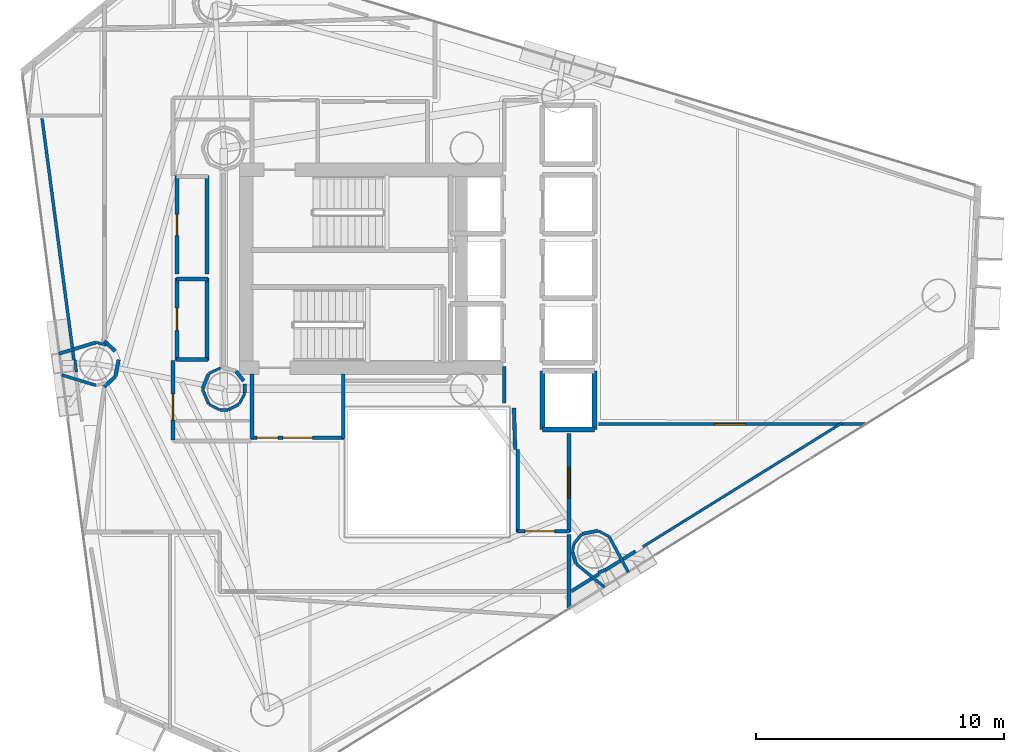
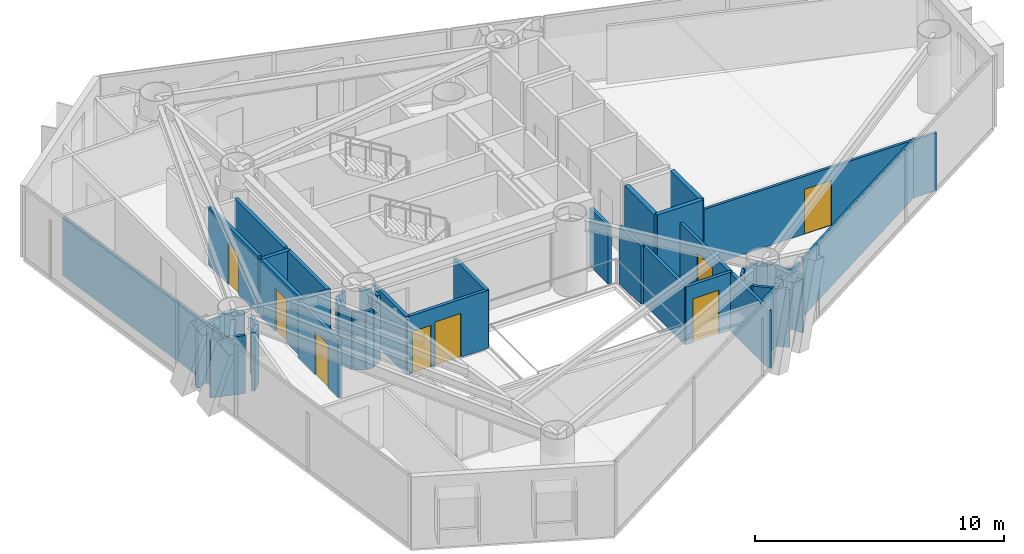
# One storey, part 18 of 22: 48 walls, 8 doors, 8 openings.
"""IFC4 building model written with IfcOpenShell, lengths in metres."""

from ifc_helpers import new_model, si_unit, direction, frame, frame_2d, origin, place, context, subcontext, project, spatial, rectangle, extrude, material, layer, layer_set, type_object, element, fill, save


model = new_model("IFC4")

# Units and contexts
model_context = context("Model", 3, precision=1e-05, world=origin(), true_north=direction((0.0, 1.0)))
body_context = subcontext(model_context, "Body", "Model", "MODEL_VIEW")
ifc_project = project(units=[si_unit("LENGTHUNIT", "METRE"), si_unit("AREAUNIT", "SQUARE_METRE"), si_unit("VOLUMEUNIT", "CUBIC_METRE"), si_unit("PLANEANGLEUNIT", "RADIAN"), si_unit("MASSUNIT", "GRAM", prefix="KILO")], contexts=[model_context])

# Site, building, storey
site_placement = place(None, origin())
site = spatial("IfcSite", under=ifc_project, at=site_placement, CompositionType="ELEMENT")
building_placement = place(site_placement, origin())
building = spatial("IfcBuilding", under=site, at=building_placement, Name="Qianvela Tower", CompositionType="ELEMENT")
storey_placement = place(building_placement, frame((0.0, 0.0, 177.199951171875)))
storey = spatial("IfcBuildingStorey", under=building, at=storey_placement, Name="L45", CompositionType="ELEMENT", Elevation=177.199951171875)

# Wall, openings, doors
ifc_material_1 = material(Name="Fire-Rated Acoustic Gypsum Board")
ifc_layer_1 = layer(ifc_material_1, 0.14990234375)
ifc_layer_set_1 = layer_set([ifc_layer_1], Name="Fire-Rated Acoustic Gypsum Board")
wall_type_1 = type_object("IfcWallType", Name="WT-CORR-150", PredefinedType="PARTITIONING", material=ifc_layer_set_1)
wall_1_placement = place(storey_placement, frame((33.449951171875, 21.881103515625, 0.0), z_axis=(0.0, 0.0, 1.0), x_axis=(-1.0, 0.0, 0.0)))
wall_1 = element("IfcWall", 1, at=wall_1_placement, inside=storey, type_object=wall_type_1, Name="L45 Partition 5", PredefinedType="PARTITIONING", context=body_context, shape_type="SweptSolid", body=[
    extrude(rectangle(XDim=3.75, YDim=0.14990234375, at=frame_2d((1.875, 0.0))), origin(), (0.0, 0.0, 1.0), 2.840087890625),
])
opening_1_placement = place(wall_1_placement, frame((1.27490234375, 0.0, 0.0)))
opening_1 = element("IfcOpeningElement", 2, at=opening_1_placement, cuts=wall_1, Name="Opening D-LB1", PredefinedType="OPENING", context=body_context, shape_type="SweptSolid", body=[
    extrude(rectangle(XDim=1.199951171875, YDim=2.14990234375, at=frame_2d((0.60009765625, 1.074951171875))), frame((0.0, 0.0849609375, 0.0), z_axis=(0.0, -1.0, 0.0), x_axis=(1.0, 0.0, 0.0)), (0.0, 0.0, 1.0), 0.169921875),
])
opening_2_placement = place(wall_1_placement, frame((2.659912109375, 0.0, 0.0)))
opening_2 = element("IfcOpeningElement", 3, at=opening_2_placement, cuts=wall_1, Name="Opening D-LB2", PredefinedType="OPENING", context=body_context, shape_type="SweptSolid", body=[
    extrude(rectangle(XDim=0.860107421875, YDim=2.050048828125, at=frame_2d((0.43017578125, 1.02490234375))), frame((0.0, 0.0849609375, 0.0), z_axis=(0.0, -1.0, 0.0), x_axis=(1.0, 0.0, 0.0)), (0.0, 0.0, 1.0), 0.169921875),
])
ifc_material_2 = material(Name="Glazed Fire-Rated Steel Frame", Category="steel")
door_type_1 = type_object("IfcDoorType", Name="DT-LOBBY-FD90", OperationType="NOTDEFINED", PredefinedType="DOOR", material=ifc_material_2)
door_1_placement = place(opening_1_placement, origin())
door_1 = element("IfcDoor", 4, at=door_1_placement, inside=storey, type_object=door_type_1, Name="L45 Door L45 Firefighting Lobby South to L45 Floor Corridor", OperationType="SINGLE_SWING_RIGHT", OverallHeight=2.14990234375, OverallWidth=1.199951171875, PredefinedType="DOOR", context=body_context, shape_type="SweptSolid", body=[
    extrude(rectangle(XDim=1.199951171875, YDim=2.14990234375, at=frame_2d((0.60009765625, 1.074951171875))), frame((0.0, 0.02490234375, 0.0), z_axis=(0.0, -1.0, 0.0), x_axis=(1.0, 0.0, 0.0)), (0.0, 0.0, 1.0), 0.050048828125),
])
fill(opening_1, door_1)
ifc_material_3 = material(Name="Insulated Steel Fire Door Q355B", Category="steel")
door_type_2 = type_object("IfcDoorType", Name="DT-LOBBY-FD90-860", OperationType="NOTDEFINED", PredefinedType="DOOR", material=ifc_material_3)
door_2_placement = place(opening_2_placement, origin())
door_2 = element("IfcDoor", 5, at=door_2_placement, inside=storey, type_object=door_type_2, Name="L45 Door L45 Firefighting Lobby South to L45 Floor Corridor", OperationType="SINGLE_SWING_LEFT", OverallHeight=2.050048828125, OverallWidth=0.860107421875, PredefinedType="DOOR", context=body_context, shape_type="SweptSolid", body=[
    extrude(rectangle(XDim=0.860107421875, YDim=2.050048828125, at=frame_2d((0.43017578125, 1.02490234375))), frame((0.0, 0.02490234375, 0.0), z_axis=(0.0, -1.0, 0.0), x_axis=(1.0, 0.0, 0.0)), (0.0, 0.0, 1.0), 0.050048828125),
])
fill(opening_2, door_2)

# Walls
for number, where, z_axis, x_axis, name in (
    (6, (29.73095703125, 21.85009765625, 0.0), (0.0, 0.0, 1.0), (0.0, 1.0, 0.0), "L45 Partition 6"),
    (7, (33.4189453125, 24.44189453125, 0.0), (0.0, 0.0, 1.0), (0.0, -1.0, 0.0), "L45 Partition 8"),
):
    element("IfcWall", number, at=place(storey_placement, frame(where, z_axis=z_axis, x_axis=x_axis)), inside=storey, type_object=wall_type_1, Name=name, PredefinedType="PARTITIONING", context=body_context, shape_type="SweptSolid", body=[
        extrude(rectangle(XDim=2.591796875, YDim=0.14990234375, at=frame_2d((1.2958984375, 0.0))), origin(), (0.0, 0.0, 1.0), 2.840087890625),
    ])
wall_2_placement = place(storey_placement, frame((40.35107421875, 21.40087890625, 0.0), z_axis=(0.0, 0.0, 1.0), x_axis=(-0.031058045979, 0.999517582527, 0.0)))
element("IfcWall", 8, at=wall_2_placement, inside=storey, type_object=wall_type_1, Name="L45 Partition 9", PredefinedType="PARTITIONING", context=body_context, shape_type="SweptSolid", body=[
    extrude(rectangle(XDim=1.68212890625, YDim=0.14990234375, at=frame_2d((0.841064453125, 0.0))), origin(), (0.0, 0.0, 1.0), 2.840087890625),
])
wall_3_placement = place(storey_placement, frame((39.910888671875, 23.280029296875, 0.0), z_axis=(0.0, 0.0, 1.0), x_axis=(0.0, 1.0, 0.0)))
element("IfcWall", 9, at=wall_3_placement, inside=storey, type_object=wall_type_1, Name="L45 Partition 10", PredefinedType="PARTITIONING", context=body_context, shape_type="SweptSolid", body=[
    extrude(rectangle(XDim=1.47998046875, YDim=0.14990234375, at=frame_2d((0.739990234375, 0.0))), origin(), (0.0, 0.0, 1.0), 2.840087890625),
])

# Wall, opening, door
wall_4_placement = place(storey_placement, frame((42.51904296875, 22.050048828125, 0.0), z_axis=(0.0, 0.0, 1.0), x_axis=(0.0, -1.0, 0.0)))
wall_4 = element("IfcWall", 10, at=wall_4_placement, inside=storey, type_object=wall_type_1, Name="L45 Partition 17", PredefinedType="PARTITIONING", context=body_context, shape_type="SweptSolid", body=[
    extrude(rectangle(XDim=3.969970703125, YDim=0.14990234375, at=frame_2d((1.98486328125, 0.0))), origin(), (0.0, 0.0, 1.0), 2.840087890625),
])
opening_3_placement = place(wall_4_placement, frame((1.360107421875, 0.0, 0.0)))
opening_3 = element("IfcOpeningElement", 11, at=opening_3_placement, cuts=wall_4, Name="Opening D-LG1", PredefinedType="OPENING", context=body_context, shape_type="SweptSolid", body=[
    extrude(rectangle(XDim=1.25, YDim=2.199951171875, at=frame_2d((0.625, 1.10009765625))), frame((0.0, 0.0849609375, 0.0), z_axis=(0.0, -1.0, 0.0), x_axis=(1.0, 0.0, 0.0)), (0.0, 0.0, 1.0), 0.169921875),
])
ifc_material_4 = material(Name="Anodised Aluminium Acoustic Glass Door", Category="aluminium")
door_type_3 = type_object("IfcDoorType", Name="DT-LOUNGE-1250", OperationType="NOTDEFINED", PredefinedType="DOOR", material=ifc_material_4)
door_3_placement = place(opening_3_placement, origin())
door_3 = element("IfcDoor", 12, at=door_3_placement, inside=storey, type_object=door_type_3, Name="L45 Door Tutorial Breakout Seminar L45-03 to L45 Lift Lobby", OperationType="SINGLE_SWING_LEFT", OverallHeight=2.199951171875, OverallWidth=1.25, PredefinedType="DOOR", context=body_context, shape_type="SweptSolid", body=[
    extrude(rectangle(XDim=1.25, YDim=2.199951171875, at=frame_2d((0.625, 1.10009765625))), frame((0.0, 0.02490234375, 0.0), z_axis=(0.0, -1.0, 0.0), x_axis=(1.0, 0.0, 0.0)), (0.0, 0.0, 1.0), 0.050048828125),
])
fill(opening_3, door_3)

wall_5_placement = place(storey_placement, frame((42.550048828125, 18.111083984375, 0.0), z_axis=(0.0, 0.0, 1.0), x_axis=(-1.0, 0.0, 0.0)))
wall_5 = element("IfcWall", 13, at=wall_5_placement, inside=storey, type_object=wall_type_1, Name="L45 Partition 18", PredefinedType="PARTITIONING", context=body_context, shape_type="SweptSolid", body=[
    extrude(rectangle(XDim=2.130126953125, YDim=0.14990234375, at=frame_2d((1.06494140625, 0.0))), origin(), (0.0, 0.0, 1.0), 2.840087890625),
])
opening_4_placement = place(wall_5_placement, frame((0.60498046875, 0.0, 0.0)))
opening_4 = element("IfcOpeningElement", 14, at=opening_4_placement, cuts=wall_5, Name="Opening D-LB1", PredefinedType="OPENING", context=body_context, shape_type="SweptSolid", body=[
    extrude(rectangle(XDim=1.199951171875, YDim=2.14990234375, at=frame_2d((0.60009765625, 1.074951171875))), frame((0.0, 0.0849609375, 0.0), z_axis=(0.0, -1.0, 0.0), x_axis=(1.0, 0.0, 0.0)), (0.0, 0.0, 1.0), 0.169921875),
])
door_4_placement = place(opening_4_placement, origin())
door_4 = element("IfcDoor", 15, at=door_4_placement, inside=storey, type_object=door_type_1, Name="L45 Door L45 Lift Lobby to L45 Floor Corridor", OperationType="SINGLE_SWING_LEFT", OverallHeight=2.14990234375, OverallWidth=1.199951171875, PredefinedType="DOOR", context=body_context, shape_type="SweptSolid", body=[
    extrude(rectangle(XDim=1.199951171875, YDim=2.14990234375, at=frame_2d((0.60009765625, 1.074951171875))), frame((0.0, 0.02490234375, 0.0), z_axis=(0.0, -1.0, 0.0), x_axis=(1.0, 0.0, 0.0)), (0.0, 0.0, 1.0), 0.050048828125),
])
fill(opening_4, door_4)

# Walls
wall_6_placement = place(storey_placement, frame((40.450927734375, 18.080078125, 0.0), z_axis=(0.0, 0.0, 1.0), x_axis=(0.0, 1.0, 0.0)))
element("IfcWall", 16, at=wall_6_placement, inside=storey, type_object=wall_type_1, Name="L45 Partition 19 seg 1", PredefinedType="PARTITIONING", context=body_context, shape_type="SweptSolid", body=[
    extrude(rectangle(XDim=3.31982421875, YDim=0.14990234375, at=frame_2d((1.659912109375, 0.0))), origin(), (0.0, 0.0, 1.0), 2.840087890625),
])
wall_7_placement = place(storey_placement, frame((29.401611328125, 24.169189453125, 0.0), z_axis=(0.0, 0.0, 1.0), x_axis=(-0.622091855036, 0.782944266151, 0.0)))
element("IfcWall", 17, at=wall_7_placement, inside=storey, type_object=wall_type_1, Name="L45 Partition 36", PredefinedType="PARTITIONING", context=body_context, shape_type="SweptSolid", body=[
    extrude(rectangle(XDim=0.50390625, YDim=0.14990234375, at=frame_2d((0.251953125, 0.0))), origin(), (0.0, 0.0, 1.0), 2.840087890625),
])
wall_8_placement = place(storey_placement, frame((24.211181640625, 25.37890625, 0.0), z_axis=(0.0, 0.0, 1.0), x_axis=(-0.735475561179, 0.677551251868, 0.0)))
element("IfcWall", 18, at=wall_8_placement, inside=storey, type_object=wall_type_1, Name="L45 Partition 48", PredefinedType="PARTITIONING", context=body_context, shape_type="SweptSolid", body=[
    extrude(rectangle(XDim=0.598388671875, YDim=0.14990234375, at=frame_2d((0.29931640625, 0.0))), origin(), (0.0, 0.0, 1.0), 2.840087890625),
])

# Wall, opening, door
wall_9_placement = place(storey_placement, frame((26.549072265625, 25.0, 0.0), z_axis=(0.0, 0.0, 1.0), x_axis=(0.0, -1.0, 0.0)))
wall_9 = element("IfcWall", 19, at=wall_9_placement, inside=storey, type_object=wall_type_1, Name="L45 Partition 54 seg 3", PredefinedType="PARTITIONING", context=body_context, shape_type="SweptSolid", body=[
    extrude(rectangle(XDim=3.219970703125, YDim=0.14990234375, at=frame_2d((1.60986328125, 0.0))), origin(), (0.0, 0.0, 1.0), 2.840087890625),
])
opening_5_placement = place(wall_9_placement, frame((1.3544921875, 0.0, 0.0)))
opening_5 = element("IfcOpeningElement", 20, at=opening_5_placement, cuts=wall_9, Name="Opening D-PL1", PredefinedType="OPENING", context=body_context, shape_type="SweptSolid", body=[
    extrude(rectangle(XDim=1.050048828125, YDim=2.14990234375, at=frame_2d((0.52490234375, 1.074951171875))), frame((0.0, 0.0849609375, 0.0), z_axis=(0.0, -1.0, 0.0), x_axis=(1.0, 0.0, 0.0)), (0.0, 0.0, 1.0), 0.169921875),
])
ifc_material_5 = material(Name="Insulated Steel Fire Door Q355B", Category="steel")
door_type_4 = type_object("IfcDoorType", Name="DT-PLANT-FD90", OperationType="NOTDEFINED", PredefinedType="DOOR", material=ifc_material_5)
door_5_placement = place(opening_5_placement, origin())
door_5 = element("IfcDoor", 21, at=door_5_placement, inside=storey, type_object=door_type_4, Name="L45 Door Academic Advising Lounge L45-07 to L45 Floor Corridor", OperationType="SINGLE_SWING_RIGHT", OverallHeight=2.14990234375, OverallWidth=1.050048828125, PredefinedType="DOOR", context=body_context, shape_type="SweptSolid", body=[
    extrude(rectangle(XDim=1.050048828125, YDim=2.14990234375, at=frame_2d((0.52490234375, 1.074951171875))), frame((0.0, 0.02490234375, 0.0), z_axis=(0.0, -1.0, 0.0), x_axis=(1.0, 0.0, 0.0)), (0.0, 0.0, 1.0), 0.050048828125),
])
fill(opening_5, door_5)

# Walls
wall_10_placement = place(storey_placement, frame((42.51904296875, 17.97998046875, 0.0), z_axis=(0.0, 0.0, 1.0), x_axis=(0.0, -1.0, 0.0)))
element("IfcWall", 22, at=wall_10_placement, inside=storey, type_object=wall_type_1, Name="L45 Partition 57 seg 1", PredefinedType="PARTITIONING", context=body_context, shape_type="SweptSolid", body=[
    extrude(rectangle(XDim=3.02001953125, YDim=0.14990234375, at=frame_2d((1.510009765625, 0.0))), origin(), (0.0, 0.0, 1.0), 2.840087890625),
])
wall_11_placement = place(storey_placement, frame((23.77099609375, 23.93359375, 0.0), z_axis=(0.0, 0.0, 1.0), x_axis=(0.735475561179, 0.677551251868, 0.0)))
element("IfcWall", 23, at=wall_11_placement, inside=storey, type_object=wall_type_1, Name="L45 Partition 62", PredefinedType="PARTITIONING", context=body_context, shape_type="SweptSolid", body=[
    extrude(rectangle(XDim=0.598388671875, YDim=0.14990234375, at=frame_2d((0.29931640625, 0.0))), origin(), (0.0, 0.0, 1.0), 2.840087890625),
])
wall_12_placement = place(storey_placement, frame((24.220703125, 24.355712890625, 0.0), z_axis=(0.0, 0.0, 1.0), x_axis=(0.19495084259, 0.980813014276, 0.0)))
element("IfcWall", 24, at=wall_12_placement, inside=storey, type_object=wall_type_1, Name="L45 Partition 63", PredefinedType="PARTITIONING", context=body_context, shape_type="SweptSolid", body=[
    extrude(rectangle(XDim=0.68505859375, YDim=0.14990234375, at=frame_2d((0.342529296875, 0.0))), origin(), (0.0, 0.0, 1.0), 2.840087890625),
])
ifc_material_6 = material(Name="Lightweight Gypsum Room Partition")
ifc_layer_2 = layer(ifc_material_6, 0.10498046875)
ifc_layer_set_2 = layer_set([ifc_layer_2], Name="Lightweight Gypsum Room Partition")
wall_type_2 = type_object("IfcWallType", Name="WT-PART-105", PredefinedType="PARTITIONING", material=ifc_layer_set_2)
wall_13_placement = place(storey_placement, frame((53.54443359375, 22.484375, 0.0), z_axis=(0.0, 0.0, 1.0), x_axis=(-0.849222240482, -0.528035591859, 0.0)))
element("IfcWall", 25, at=wall_13_placement, inside=storey, type_object=wall_type_2, Name="L45 Partition 76", PredefinedType="PARTITIONING", context=body_context, shape_type="SweptSolid", body=[
    extrude(rectangle(XDim=9.47412109375, YDim=0.10498046875, at=frame_2d((4.737060546875, 0.0))), origin(), (0.0, 0.0, 1.0), 2.840087890625),
])
wall_14_placement = place(storey_placement, frame((44.1298828125, 17.896728515625, 0.0), z_axis=(0.0, 0.0, 1.0), x_axis=(-0.88190639713, 0.471424550379, 0.0)))
element("IfcWall", 26, at=wall_14_placement, inside=storey, type_object=wall_type_2, Name="L45 Partition 79", PredefinedType="PARTITIONING", context=body_context, shape_type="SweptSolid", body=[
    extrude(rectangle(XDim=0.484619140625, YDim=0.10498046875, at=frame_2d((0.2421875, 0.0))), origin(), (0.0, 0.0, 1.0), 2.840087890625),
])
wall_15_placement = place(storey_placement, frame((42.72314453125, 17.6044921875, 0.0), z_axis=(0.0, 0.0, 1.0), x_axis=(-0.194819090972, -0.980839192627, 0.0)))
element("IfcWall", 27, at=wall_15_placement, inside=storey, type_object=wall_type_2, Name="L45 Partition 82", PredefinedType="PARTITIONING", context=body_context, shape_type="SweptSolid", body=[
    extrude(rectangle(XDim=0.325927734375, YDim=0.10498046875, at=frame_2d((0.1630859375, 0.0))), origin(), (0.0, 0.0, 1.0), 2.840087890625),
])
wall_16_placement = place(storey_placement, frame((28.465576171875, 24.700927734375, 0.0), z_axis=(0.0, 0.0, 1.0), x_axis=(-0.896097594631, -0.4438570726, 0.0)))
element("IfcWall", 28, at=wall_16_placement, inside=storey, type_object=wall_type_2, Name="L45 Partition 145", PredefinedType="PARTITIONING", context=body_context, shape_type="SweptSolid", body=[
    extrude(rectangle(XDim=0.524169921875, YDim=0.10498046875, at=frame_2d((0.26220703125, 0.0))), origin(), (0.0, 0.0, 1.0), 2.840087890625),
])
for number, where, z_axis, x_axis, name in (
    (29, (27.9951171875, 23.232177734375, 0.0), (0.0, 0.0, 1.0), (0.88190639713, -0.471424550379, 0.0), "L45 Partition 148"),
    (30, (29.2177734375, 23.2451171875, 0.0), (0.0, 0.0, 1.0), (0.471424550379, 0.88190639713, 0.0), "L45 Partition 151"),
):
    element("IfcWall", number, at=place(storey_placement, frame(where, z_axis=z_axis, x_axis=x_axis)), inside=storey, type_object=wall_type_2, Name=name, PredefinedType="PARTITIONING", context=body_context, shape_type="SweptSolid", body=[
        extrude(rectangle(XDim=0.484619140625, YDim=0.10498046875, at=frame_2d((0.2421875, 0.0))), origin(), (0.0, 0.0, 1.0), 2.840087890625),
    ])
wall_17_placement = place(storey_placement, frame((23.843017578125, 25.623291015625, 0.0), z_axis=(0.0, 0.0, 1.0), x_axis=(-0.968035135853, 0.250814624283, 0.0)))
element("IfcWall", 31, at=wall_17_placement, inside=storey, type_object=wall_type_2, Name="L45 Partition 157", PredefinedType="PARTITIONING", context=body_context, shape_type="SweptSolid", body=[
    extrude(rectangle(XDim=0.402099609375, YDim=0.10498046875, at=frame_2d((0.201171875, 0.0))), origin(), (0.0, 0.0, 1.0), 2.840087890625),
])
wall_18_placement = place(storey_placement, frame((22.59619140625, 25.018798828125, 0.0), z_axis=(0.0, 0.0, 1.0), x_axis=(0.098207170267, -0.995165992038, 0.0)))
element("IfcWall", 32, at=wall_18_placement, inside=storey, type_object=wall_type_2, Name="L45 Partition 160", PredefinedType="PARTITIONING", context=body_context, shape_type="SweptSolid", body=[
    extrude(rectangle(XDim=0.48486328125, YDim=0.10498046875, at=frame_2d((0.242431640625, 0.0))), origin(), (0.0, 0.0, 1.0), 2.840087890625),
])

# Wall, opening, door
ifc_material_7 = material(Name="Insulated Gypsum Stud Partition")
ifc_layer_3 = layer(ifc_material_7, 0.1201171875)
ifc_layer_set_3 = layer_set([ifc_layer_3], Name="Insulated Gypsum Stud Partition")
wall_type_3 = type_object("IfcWallType", Name="WT-PART-120", PredefinedType="PARTITIONING", material=ifc_layer_set_3)
wall_19_placement = place(storey_placement, frame((43.719970703125, 22.427001953125, 0.0), z_axis=(0.0, 0.0, 1.0), x_axis=(1.0, 0.0, 0.0)))
wall_19 = element("IfcWall", 33, at=wall_19_placement, inside=storey, type_object=wall_type_3, Name="L45 Partition 75", PredefinedType="PARTITIONING", context=body_context, shape_type="SweptSolid", body=[
    extrude(rectangle(XDim=10.795654296875, YDim=0.1201171875, at=frame_2d((5.39794921875, 0.0))), origin(), (0.0, 0.0, 1.0), 2.840087890625),
])
opening_6_placement = place(wall_19_placement, frame((4.669677734375, 0.0, 0.0)))
opening_6 = element("IfcOpeningElement", 34, at=opening_6_placement, cuts=wall_19, Name="Opening D-LG1", PredefinedType="OPENING", context=body_context, shape_type="SweptSolid", body=[
    extrude(rectangle(XDim=1.25, YDim=2.199951171875, at=frame_2d((0.625, 1.10009765625))), frame((0.0, 0.070068359375, 0.0), z_axis=(0.0, -1.0, 0.0), x_axis=(1.0, 0.0, 0.0)), (0.0, 0.0, 1.0), 0.14013671875),
])
door_6_placement = place(opening_6_placement, origin())
door_6 = element("IfcDoor", 35, at=door_6_placement, inside=storey, type_object=door_type_3, Name="L45 Door Maker Craft Workshop L45-04 to Tutorial Breakout Seminar L45-03", OperationType="SINGLE_SWING_LEFT", OverallHeight=2.199951171875, OverallWidth=1.25, PredefinedType="DOOR", context=body_context, shape_type="SweptSolid", body=[
    extrude(rectangle(XDim=1.25, YDim=2.199951171875, at=frame_2d((0.625, 1.10009765625))), frame((0.0, 0.02490234375, 0.0), z_axis=(0.0, -1.0, 0.0), x_axis=(1.0, 0.0, 0.0)), (0.0, 0.0, 1.0), 0.050048828125),
])
fill(opening_6, door_6)

# Walls
wall_20_placement = place(storey_placement, frame((44.91845703125, 16.448486328125, 0.0), z_axis=(0.0, 0.0, 1.0), x_axis=(-0.475410648969, 0.879764010884, 0.0)))
element("IfcWall", 36, at=wall_20_placement, inside=storey, type_object=wall_type_3, Name="L45 Partition 78", PredefinedType="PARTITIONING", context=body_context, shape_type="SweptSolid", body=[
    extrude(rectangle(XDim=1.632080078125, YDim=0.1201171875, at=frame_2d((0.81591796875, 0.0))), origin(), (0.0, 0.0, 1.0), 2.840087890625),
])
wall_21_placement = place(storey_placement, frame((43.037109375, 17.992919921875, 0.0), z_axis=(0.0, 0.0, 1.0), x_axis=(-0.634470928201, -0.772946726022, 0.0)))
element("IfcWall", 37, at=wall_21_placement, inside=storey, type_object=wall_type_3, Name="L45 Partition 81", PredefinedType="PARTITIONING", context=body_context, shape_type="SweptSolid", body=[
    extrude(rectangle(XDim=0.48486328125, YDim=0.1201171875, at=frame_2d((0.242431640625, 0.0))), origin(), (0.0, 0.0, 1.0), 2.840087890625),
])
wall_22_placement = place(storey_placement, frame((42.81103515625, 16.791015625, 0.0), z_axis=(0.0, 0.0, 1.0), x_axis=(0.773075442616, -0.634314086257, 0.0)))
element("IfcWall", 38, at=wall_22_placement, inside=storey, type_object=wall_type_3, Name="L45 Partition 84", PredefinedType="PARTITIONING", context=body_context, shape_type="SweptSolid", body=[
    extrude(rectangle(XDim=1.4814453125, YDim=0.1201171875, at=frame_2d((0.74072265625, 0.0))), origin(), (0.0, 0.0, 1.0), 2.840087890625),
])
wall_23_placement = place(storey_placement, frame((27.736328125, 23.838134765625, 0.0), z_axis=(0.0, 0.0, 1.0), x_axis=(0.382824178437, -0.923821221018, 0.0)))
element("IfcWall", 39, at=wall_23_placement, inside=storey, type_object=wall_type_3, Name="L45 Partition 147", PredefinedType="PARTITIONING", context=body_context, shape_type="SweptSolid", body=[
    extrude(rectangle(XDim=0.638916015625, YDim=0.1201171875, at=frame_2d((0.3193359375, 0.0))), origin(), (0.0, 0.0, 1.0), 2.840087890625),
])
wall_24_placement = place(storey_placement, frame((28.777587890625, 23.003662109375, 0.0), z_axis=(0.0, 0.0, 1.0), x_axis=(0.88190639713, 0.471424550379, 0.0)))
element("IfcWall", 40, at=wall_24_placement, inside=storey, type_object=wall_type_3, Name="L45 Partition 150", PredefinedType="PARTITIONING", context=body_context, shape_type="SweptSolid", body=[
    extrude(rectangle(XDim=0.484619140625, YDim=0.1201171875, at=frame_2d((0.2421875, 0.0))), origin(), (0.0, 0.0, 1.0), 2.840087890625),
])
wall_25_placement = place(storey_placement, frame((22.05615234375, 24.413330078125, 0.0), z_axis=(0.0, 0.0, 1.0), x_axis=(0.95692759097, -0.290326687784, 0.0)))
element("IfcWall", 41, at=wall_25_placement, inside=storey, type_object=wall_type_3, Name="L45 Partition 162", PredefinedType="PARTITIONING", context=body_context, shape_type="SweptSolid", body=[
    extrude(rectangle(XDim=1.443115234375, YDim=0.1201171875, at=frame_2d((0.7216796875, 0.0))), origin(), (0.0, 0.0, 1.0), 2.840087890625),
])
wall_26_placement = place(storey_placement, frame((22.551025390625, 25.014404296875, 0.0), z_axis=(0.0, 0.0, 1.0), x_axis=(-0.130880350647, 0.991398171178, 0.0)))
element("IfcWall", 42, at=wall_26_placement, inside=storey, type_object=wall_type_3, Name="L45 Partition 165 seg 2", PredefinedType="PARTITIONING", context=body_context, shape_type="SweptSolid", body=[
    extrude(rectangle(XDim=9.832275390625, YDim=0.1201171875, at=frame_2d((4.916015625, 0.0))), origin(), (0.0, 0.0, 1.0), 2.840087890625),
])

# Wall, opening, door
ifc_material_8 = material(Name="Sanitary Service Chase Partition")
ifc_layer_4 = layer(ifc_material_8, 0.1650390625)
ifc_layer_set_4 = layer_set([ifc_layer_4], Name="Sanitary Service Chase Partition")
wall_type_4 = type_object("IfcWallType", Name="WT-PLUMB-165", PredefinedType="PLUMBINGWALL", material=ifc_layer_set_4)
wall_27_placement = place(storey_placement, frame((26.7109375, 25.0, 0.0), z_axis=(0.0, 0.0, 1.0), x_axis=(0.0, 1.0, 0.0)))
wall_27 = element("IfcWall", 43, at=wall_27_placement, inside=storey, type_object=wall_type_4, Name="L45 Partition 24", PredefinedType="PLUMBINGWALL", context=body_context, shape_type="SweptSolid", body=[
    extrude(rectangle(XDim=3.320068359375, YDim=0.1650390625, at=frame_2d((1.66015625, 0.0))), origin(), (0.0, 0.0, 1.0), 2.840087890625),
])
opening_7_placement = place(wall_27_placement, frame((1.2099609375, 0.0, 0.0)))
opening_7 = element("IfcOpeningElement", 44, at=opening_7_placement, cuts=wall_27, Name="Opening D-KT1", PredefinedType="OPENING", context=body_context, shape_type="SweptSolid", body=[
    extrude(rectangle(XDim=0.89990234375, YDim=2.10009765625, at=frame_2d((0.449951171875, 1.050048828125))), frame((0.0, 0.092529296875, 0.0), z_axis=(0.0, -1.0, 0.0), x_axis=(1.0, 0.0, 0.0)), (0.0, 0.0, 1.0), 0.18505859375),
])
ifc_material_9 = material(Name="Glazed Timber Kitchen Door", Category="wood")
door_type_5 = type_object("IfcDoorType", Name="DT-KITCH-900", OperationType="NOTDEFINED", PredefinedType="DOOR", material=ifc_material_9)
door_7_placement = place(opening_7_placement, origin())
door_7 = element("IfcDoor", 45, at=door_7_placement, inside=storey, type_object=door_type_5, Name="L45 Door L45 Core Tea Pantry West to L45 Floor Corridor", OperationType="SINGLE_SWING_LEFT", OverallHeight=2.10009765625, OverallWidth=0.89990234375, PredefinedType="DOOR", context=body_context, shape_type="SweptSolid", body=[
    extrude(rectangle(XDim=0.89990234375, YDim=2.10009765625, at=frame_2d((0.449951171875, 1.050048828125))), frame((0.0, 0.02490234375, 0.0), z_axis=(0.0, -1.0, 0.0), x_axis=(1.0, 0.0, 0.0)), (0.0, 0.0, 1.0), 0.050048828125),
])
fill(opening_7, door_7)

# Walls
wall_28_placement = place(storey_placement, frame((26.679931640625, 28.2890625, 0.0), z_axis=(0.0, 0.0, 1.0), x_axis=(1.0, 0.0, 0.0)))
element("IfcWall", 46, at=wall_28_placement, inside=storey, type_object=wall_type_4, Name="L45 Partition 25", PredefinedType="PLUMBINGWALL", context=body_context, shape_type="SweptSolid", body=[
    extrude(rectangle(XDim=1.27001953125, YDim=0.1650390625, at=frame_2d((0.635009765625, 0.0))), origin(), (0.0, 0.0, 1.0), 2.840087890625),
])
wall_29_placement = place(storey_placement, frame((27.9189453125, 28.320068359375, 0.0), z_axis=(0.0, 0.0, 1.0), x_axis=(0.0, -1.0, 0.0)))
element("IfcWall", 47, at=wall_29_placement, inside=storey, type_object=wall_type_4, Name="L45 Partition 26", PredefinedType="PLUMBINGWALL", context=body_context, shape_type="SweptSolid", body=[
    extrude(rectangle(XDim=3.320068359375, YDim=0.1650390625, at=frame_2d((1.66015625, 0.0))), origin(), (0.0, 0.0, 1.0), 2.840087890625),
])
wall_30_placement = place(storey_placement, frame((27.949951171875, 25.031005859375, 0.0), z_axis=(0.0, 0.0, 1.0), x_axis=(-1.0, 0.0, 0.0)))
element("IfcWall", 48, at=wall_30_placement, inside=storey, type_object=wall_type_4, Name="L45 Partition 27", PredefinedType="PLUMBINGWALL", context=body_context, shape_type="SweptSolid", body=[
    extrude(rectangle(XDim=1.27001953125, YDim=0.1650390625, at=frame_2d((0.635009765625, 0.0))), origin(), (0.0, 0.0, 1.0), 2.840087890625),
])

# Wall, opening, door
wall_31_placement = place(storey_placement, frame((26.7109375, 28.47998046875, 0.0), z_axis=(0.0, 0.0, 1.0), x_axis=(0.0, 1.0, 0.0)))
wall_31 = element("IfcWall", 49, at=wall_31_placement, inside=storey, type_object=wall_type_4, Name="L45 Partition 28", PredefinedType="PLUMBINGWALL", context=body_context, shape_type="SweptSolid", body=[
    extrude(rectangle(XDim=3.969970703125, YDim=0.1650390625, at=frame_2d((1.98486328125, 0.0))), origin(), (0.0, 0.0, 1.0), 2.840087890625),
])
opening_8_placement = place(wall_31_placement, frame((1.554931640625, 0.0, 0.0)))
opening_8 = element("IfcOpeningElement", 50, at=opening_8_placement, cuts=wall_31, Name="Opening D-WC1", PredefinedType="OPENING", context=body_context, shape_type="SweptSolid", body=[
    extrude(rectangle(XDim=0.860107421875, YDim=2.050048828125, at=frame_2d((0.43017578125, 1.02490234375))), frame((0.0, 0.092529296875, 0.0), z_axis=(0.0, -1.0, 0.0), x_axis=(1.0, 0.0, 0.0)), (0.0, 0.0, 1.0), 0.18505859375),
])
ifc_material_10 = material(Name="Moisture-Sealed Acoustic Timber Door", Category="wood")
door_type_6 = type_object("IfcDoorType", Name="DT-WC-860", OperationType="NOTDEFINED", PredefinedType="DOOR", material=ifc_material_10)
door_8_placement = place(opening_8_placement, origin())
door_8 = element("IfcDoor", 51, at=door_8_placement, inside=storey, type_object=door_type_6, Name="L45 Door L45 Accessible WC to L45 Floor Corridor", OperationType="SINGLE_SWING_RIGHT", OverallHeight=2.050048828125, OverallWidth=0.860107421875, PredefinedType="DOOR", context=body_context, shape_type="SweptSolid", body=[
    extrude(rectangle(XDim=0.860107421875, YDim=2.050048828125, at=frame_2d((0.43017578125, 1.02490234375))), frame((0.0, 0.02490234375, 0.0), z_axis=(0.0, -1.0, 0.0), x_axis=(1.0, 0.0, 0.0)), (0.0, 0.0, 1.0), 0.050048828125),
])
fill(opening_8, door_8)

# Walls
wall_32_placement = place(storey_placement, frame((27.9189453125, 32.449951171875, 0.0), z_axis=(0.0, 0.0, 1.0), x_axis=(0.0, -1.0, 0.0)))
element("IfcWall", 52, at=wall_32_placement, inside=storey, type_object=wall_type_4, Name="L45 Partition 30", PredefinedType="PLUMBINGWALL", context=body_context, shape_type="SweptSolid", body=[
    extrude(rectangle(XDim=3.969970703125, YDim=0.1650390625, at=frame_2d((1.98486328125, 0.0))), origin(), (0.0, 0.0, 1.0), 2.840087890625),
])
ifc_material_11 = material(Name="Acoustic Double Gypsum Stud Partition")
ifc_layer_5 = layer(ifc_material_11, 0.139892578125)
ifc_layer_set_5 = layer_set([ifc_layer_5], Name="Acoustic Double Gypsum Stud Partition")
wall_type_5 = type_object("IfcWallType", Name="WT-ROOM-140", PredefinedType="PARTITIONING", material=ifc_layer_set_5)
wall_33_placement = place(storey_placement, frame((43.681884765625, 18.12841796875, 0.0), z_axis=(0.0, 0.0, 1.0), x_axis=(-0.98075661624, -0.195234371211, 0.0)))
element("IfcWall", 53, at=wall_33_placement, inside=storey, type_object=wall_type_5, Name="L45 Partition 80", PredefinedType="PARTITIONING", context=body_context, shape_type="SweptSolid", body=[
    extrude(rectangle(XDim=0.638916015625, YDim=0.139892578125, at=frame_2d((0.3193359375, 0.0))), origin(), (0.0, 0.0, 1.0), 2.840087890625),
])
wall_34_placement = place(storey_placement, frame((42.660400390625, 17.27001953125, 0.0), z_axis=(0.0, 0.0, 1.0), x_axis=(0.29011922788, -0.956990508633, 0.0)))
element("IfcWall", 54, at=wall_34_placement, inside=storey, type_object=wall_type_5, Name="L45 Partition 83", PredefinedType="PARTITIONING", context=body_context, shape_type="SweptSolid", body=[
    extrude(rectangle(XDim=0.484619140625, YDim=0.139892578125, at=frame_2d((0.2421875, 0.0))), origin(), (0.0, 0.0, 1.0), 2.840087890625),
])
wall_35_placement = place(storey_placement, frame((43.69970703125, 16.431396484375, 0.0), z_axis=(0.0, 0.0, 1.0), x_axis=(0.923806755208, 0.382859085086, 0.0)))
element("IfcWall", 55, at=wall_35_placement, inside=storey, type_object=wall_type_5, Name="L45 Partition 86", PredefinedType="PARTITIONING", context=body_context, shape_type="SweptSolid", body=[
    extrude(rectangle(XDim=0.325927734375, YDim=0.139892578125, at=frame_2d((0.1630859375, 0.0))), origin(), (0.0, 0.0, 1.0), 2.840087890625),
])
wall_36_placement = place(storey_placement, frame((45.208251953125, 17.301025390625, 0.0), z_axis=(0.0, 0.0, 1.0), x_axis=(-0.849251978106, -0.527987762816, 0.0)))
element("IfcWall", 56, at=wall_36_placement, inside=storey, type_object=wall_type_5, Name="L45 Partition 89 seg 1", PredefinedType="PARTITIONING", context=body_context, shape_type="SweptSolid", body=[
    extrude(rectangle(XDim=1.419677734375, YDim=0.139892578125, at=frame_2d((0.7099609375, 0.0))), origin(), (0.0, 0.0, 1.0), 2.840087890625),
])
wall_37_placement = place(storey_placement, frame((43.722412109375, 16.377197265625, 0.0), z_axis=(0.0, 0.0, 1.0), x_axis=(-0.84923547493, -0.528014306738, 0.0)))
element("IfcWall", 57, at=wall_37_placement, inside=storey, type_object=wall_type_5, Name="L45 Partition 89 seg 2", PredefinedType="PARTITIONING", context=body_context, shape_type="SweptSolid", body=[
    extrude(rectangle(XDim=1.3056640625, YDim=0.139892578125, at=frame_2d((0.65283203125, 0.0))), origin(), (0.0, 0.0, 1.0), 2.840087890625),
])
wall_38_placement = place(storey_placement, frame((27.98095703125, 24.452392578125, 0.0), z_axis=(0.0, 0.0, 1.0), x_axis=(-0.38268910224, -0.923877183952, 0.0)))
element("IfcWall", 58, at=wall_38_placement, inside=storey, type_object=wall_type_5, Name="L45 Partition 146", PredefinedType="PARTITIONING", context=body_context, shape_type="SweptSolid", body=[
    extrude(rectangle(XDim=0.63916015625, YDim=0.139892578125, at=frame_2d((0.319580078125, 0.0))), origin(), (0.0, 0.0, 1.0), 2.840087890625),
])
wall_39_placement = place(storey_placement, frame((28.43701171875, 23.0, 0.0), z_axis=(0.0, 0.0, 1.0), x_axis=(1.0, 0.0, 0.0)))
element("IfcWall", 59, at=wall_39_placement, inside=storey, type_object=wall_type_5, Name="L45 Partition 149", PredefinedType="PARTITIONING", context=body_context, shape_type="SweptSolid", body=[
    extrude(rectangle(XDim=0.325927734375, YDim=0.139892578125, at=frame_2d((0.1630859375, 0.0))), origin(), (0.0, 0.0, 1.0), 2.840087890625),
])
wall_40_placement = place(storey_placement, frame((29.449951171875, 23.68798828125, 0.0), z_axis=(0.0, 0.0, 1.0), x_axis=(-0.030919976938, 0.999521863206, 0.0)))
element("IfcWall", 60, at=wall_40_placement, inside=storey, type_object=wall_type_5, Name="L45 Partition 152", PredefinedType="PARTITIONING", context=body_context, shape_type="SweptSolid", body=[
    extrude(rectangle(XDim=0.36328125, YDim=0.139892578125, at=frame_2d((0.181640625, 0.0))), origin(), (0.0, 0.0, 1.0), 2.840087890625),
])
wall_41_placement = place(storey_placement, frame((23.43701171875, 25.7236328125, 0.0), z_axis=(0.0, 0.0, 1.0), x_axis=(-0.956896859349, -0.290427961066, 0.0)))
element("IfcWall", 61, at=wall_41_placement, inside=storey, type_object=wall_type_5, Name="L45 Partition 158", PredefinedType="PARTITIONING", context=body_context, shape_type="SweptSolid", body=[
    extrude(rectangle(XDim=1.562744140625, YDim=0.139892578125, at=frame_2d((0.78125, 0.0))), origin(), (0.0, 0.0, 1.0), 2.840087890625),
])
ifc_material_12 = material(Name="Concrete C50", Category="concrete")
ifc_layer_6 = layer(ifc_material_12, 0.199951171875)
ifc_layer_set_6 = layer_set([ifc_layer_6], Name="Concrete C50")
wall_type_6 = type_object("IfcWallType", Name="WT-SHAFT-200", PredefinedType="SOLIDWALL", material=ifc_layer_set_6)
for number, where, z_axis, x_axis, name in (
    (62, (43.550048828125, 22.219970703125, 0.0), (0.0, 0.0, 1.0), (0.0, 1.0, 0.0), "L45 Lift PL-H2 E Shaft Wall"),
    (63, (41.449951171875, 22.219970703125, 0.0), (0.0, 0.0, 1.0), (0.0, 1.0, 0.0), "L45 Lift PL-H2 W Shaft Wall"),
):
    element("IfcWall", number, at=place(storey_placement, frame(where, z_axis=z_axis, x_axis=x_axis)), inside=storey, type_object=wall_type_6, Name=name, PredefinedType="SOLIDWALL", context=body_context, shape_type="SweptSolid", body=[
        extrude(rectangle(XDim=2.360107421875, YDim=0.199951171875, at=frame_2d((1.18017578125, 0.0))), origin(), (0.0, 0.0, 1.0), 3.52001953125),
    ])
wall_42_placement = place(storey_placement, frame((41.449951171875, 22.219970703125, 0.0), z_axis=(0.0, 0.0, 1.0), x_axis=(1.0, 0.0, 0.0)))
element("IfcWall", 64, at=wall_42_placement, inside=storey, type_object=wall_type_6, Name="L45 Lift PL-H2 S Shaft Wall", PredefinedType="SOLIDWALL", context=body_context, shape_type="SweptSolid", body=[
    extrude(rectangle(XDim=2.10009765625, YDim=0.199951171875, at=frame_2d((1.050048828125, 0.0))), origin(), (0.0, 0.0, 1.0), 3.52001953125),
])

save(model, "model.ifc")
